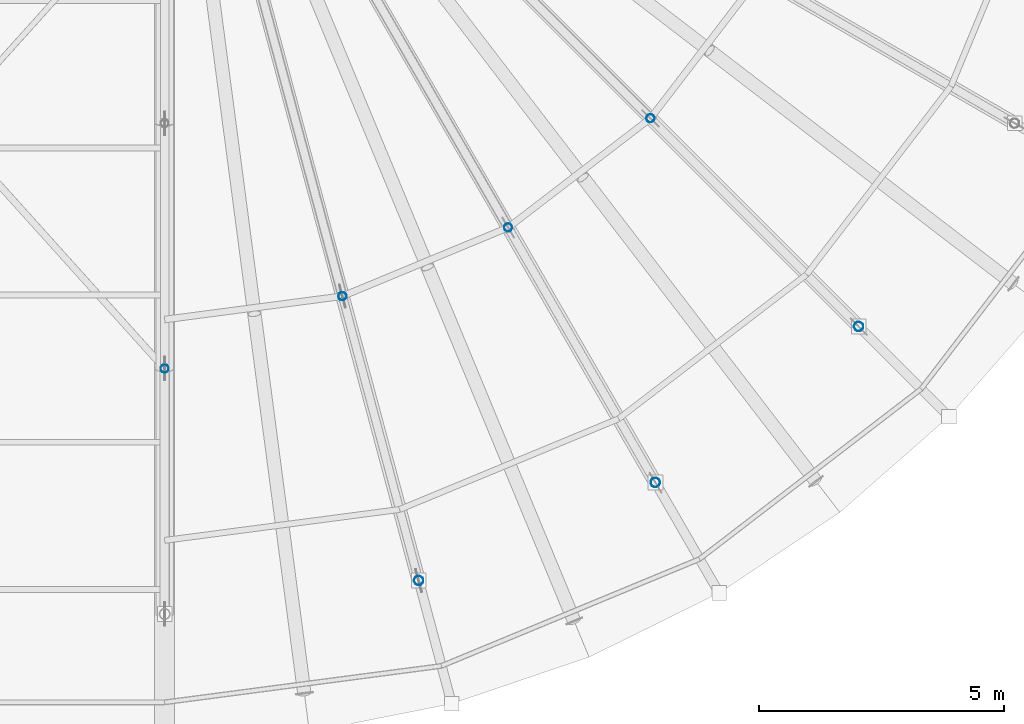
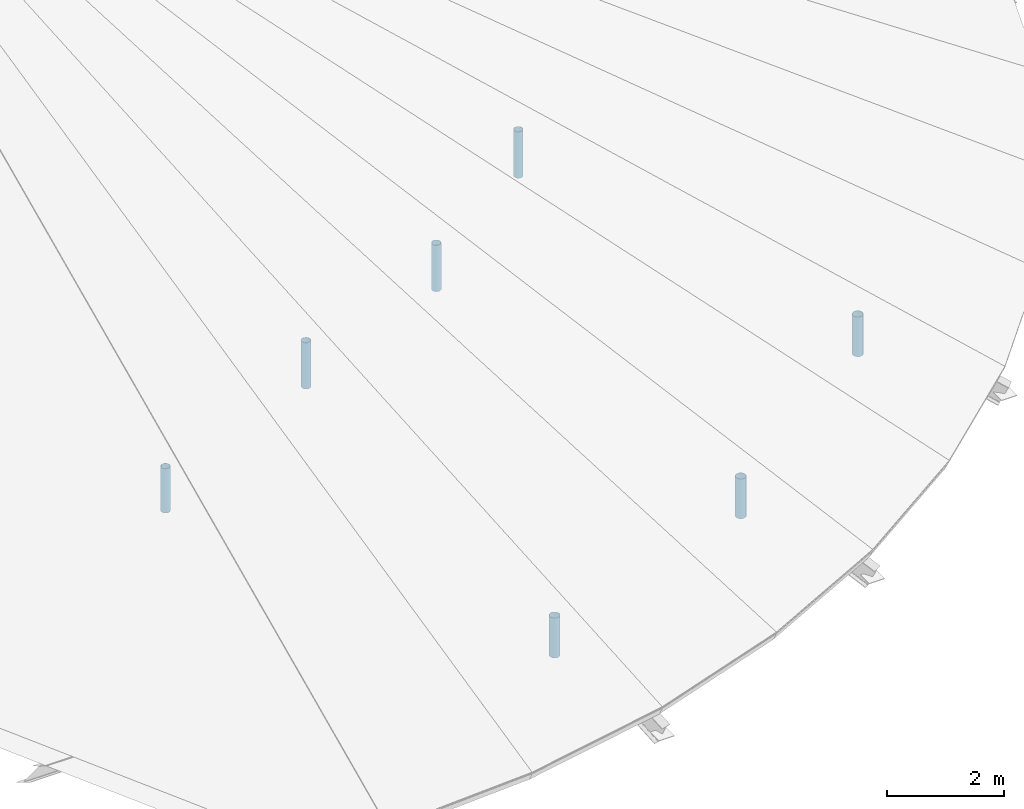
# One storey, part 74 of 107: 7 members.
"""IFC4 building model written with IfcOpenShell, lengths in metres."""

import ifcopenshell
import ifcopenshell.guid

model = None  # the IFC model being written
_history = None  # IfcOwnerHistory: only IFC2X3 demands one
_inside = {}  # id of a spatial element -> (the spatial element, [elements in it])
_under = {}  # id of a project, library or spatial element -> (it, [spatial elements below it])
_declared = {}  # id of a project -> (the project, [libraries it declares])
_typed = {}  # id of a type object -> (the type object, [elements of that type])
_made_of = {}  # id of a material, layer set ... -> (it, [elements and type objects made of it])


def new_model(schema):
    """Start an empty IFC model of exactly this schema.

    Asked for "IFC4X3", IfcOpenShell would pick the latest addendum, in which some entities
    have other attributes; the version numbers below select the first issue.
    IFC2X3 requires an IfcOwnerHistory on every rooted entity: one is made here for all.
    """
    global model, _history
    if schema == "IFC4X3":
        model = ifcopenshell.file(schema_version=(4, 3, 0, 0))
    else:
        model = ifcopenshell.file(schema=schema)
    _inside.clear()
    _under.clear()
    _declared.clear()
    _typed.clear()
    _made_of.clear()
    _history = None
    if model.schema == "IFC2X3":
        org = make("IfcOrganization", Name="unknown")
        user = make(
            "IfcPersonAndOrganization",
            ThePerson=make("IfcPerson", FamilyName="unknown"),
            TheOrganization=org,
        )
        app = make(
            "IfcApplication",
            ApplicationDeveloper=org,
            Version="unknown",
            ApplicationFullName="unknown",
            ApplicationIdentifier="unknown",
        )
        _history = make(
            "IfcOwnerHistory",
            OwningUser=user,
            OwningApplication=app,
            ChangeAction="ADDED",
            CreationDate=0,
        )
    return model


def make(cls, **values):
    """One entity of the class cls with the attributes given. An attribute that is None is left unset."""
    return model.create_entity(
        cls, **{name: value for name, value in values.items() if value is not None}
    )


def rooted(cls, **values):
    """An entity with a GlobalId (a new one), such as an element, a storey or a relation."""
    return make(cls, GlobalId=ifcopenshell.guid.new(), OwnerHistory=_history, **values)


def si_unit(unit_type, name, prefix=None):
    """IfcSIUnit, for example si_unit("LENGTHUNIT", "METRE", prefix="MILLI")."""
    return make("IfcSIUnit", UnitType=unit_type, Prefix=prefix, Name=name)


def derived_unit(unit_type, elements):
    """IfcDerivedUnit: a product of units, each with its exponent."""
    return make(
        "IfcDerivedUnit",
        Elements=[
            make("IfcDerivedUnitElement", Unit=unit, Exponent=power)
            for unit, power in elements
        ],
        UnitType=unit_type,
    )


def assignment(units):
    """IfcUnitAssignment: the units of a project."""
    return None if units is None else make("IfcUnitAssignment", Units=units)


def point(xyz):
    """IfcCartesianPoint."""
    return None if xyz is None else make("IfcCartesianPoint", Coordinates=xyz)


def direction(xyz):
    """IfcDirection."""
    return None if xyz is None else make("IfcDirection", DirectionRatios=xyz)


def frame(location, z_axis=None, x_axis=None):
    """IfcAxis2Placement3D, a coordinate frame: its origin and axes. An axis left out is left unset."""
    return make(
        "IfcAxis2Placement3D",
        Location=point(location),
        Axis=direction(z_axis),
        RefDirection=direction(x_axis),
    )


def frame_2d(location, x_axis=None):
    """IfcAxis2Placement2D, a coordinate frame in the plane: its origin and x axis."""
    return make(
        "IfcAxis2Placement2D", Location=point(location), RefDirection=direction(x_axis)
    )


def origin():
    """The frame at (0, 0, 0) with its axes left unset."""
    return frame((0.0, 0.0, 0.0))


def origin_2d():
    """The frame at (0, 0) in the plane with its x axis left unset."""
    return frame_2d((0.0, 0.0))


def place(relative_to, where):
    """IfcLocalPlacement: puts the frame where relative to a parent placement (None: the world)."""
    return make(
        "IfcLocalPlacement", PlacementRelTo=relative_to, RelativePlacement=where
    )


def context(
    kind, dimensions, precision=None, world=None, true_north=None, identifier=None
):
    """IfcGeometricRepresentationContext, for example the 3D "Model" context."""
    return make(
        "IfcGeometricRepresentationContext",
        ContextIdentifier=identifier,
        ContextType=kind,
        CoordinateSpaceDimension=dimensions,
        Precision=precision,
        WorldCoordinateSystem=world,
        TrueNorth=true_north,
    )


def subcontext(parent, identifier, kind, view, scale=None):
    """IfcGeometricRepresentationSubContext, for example "Body" below "Model"."""
    return make(
        "IfcGeometricRepresentationSubContext",
        ContextIdentifier=identifier,
        ContextType=kind,
        ParentContext=parent,
        TargetScale=scale,
        TargetView=view,
    )


def project(units=None, contexts=None):
    """IfcProject with its units and contexts."""
    return rooted(
        "IfcProject",
        Name="project",
        RepresentationContexts=contexts,
        UnitsInContext=assignment(units),
    )


def spatial(cls, under=None, at=None, **own):
    """A site, building, storey or space (cls), placed at a placement, below another one or the project."""
    s = rooted(cls, ObjectPlacement=at, **own)
    if under is not None:
        _under.setdefault(under.id(), (under, []))[1].append(s)
    return s


def profile(cls, at=None, kind="AREA", **sizes):
    """A parametric profile (cls). Its sizes go by their IFC names, for example OverallWidth=200.0."""
    return make(cls, ProfileType=kind, Position=at, **sizes)


def hollow_circle(**sizes):
    """IfcCircleHollowProfileDef."""
    return profile("IfcCircleHollowProfileDef", **sizes)


def extrude(swept, where, along, depth):
    """IfcExtrudedAreaSolid: the profile swept, set in the frame where, extruded along a direction by depth."""
    return make(
        "IfcExtrudedAreaSolid",
        SweptArea=swept,
        Position=where,
        ExtrudedDirection=direction(along),
        Depth=depth,
    )


def shape(context_of_items, identifier, shape_type, items):
    """IfcShapeRepresentation: the items that make up one representation, for example the "Body"."""
    return make(
        "IfcShapeRepresentation",
        ContextOfItems=context_of_items,
        RepresentationIdentifier=identifier,
        RepresentationType=shape_type,
        Items=items,
    )


def material(Name=None, Category=None):
    """IfcMaterial."""
    return make("IfcMaterial", Name=Name, Category=Category)


def material_profile(
    of_material, cross_section, Name=None, Category=None, Priority=None
):
    """IfcMaterialProfile: a cross section and its material."""
    return make(
        "IfcMaterialProfile",
        Name=Name,
        Material=of_material,
        Profile=cross_section,
        Priority=Priority,
        Category=Category,
    )


def profile_set(profiles, Name=None, composite=None):
    """IfcMaterialProfileSet."""
    return make(
        "IfcMaterialProfileSet",
        Name=Name,
        MaterialProfiles=profiles,
        CompositeProfile=composite,
    )


def made_of(thing, what):
    """Note that an element or type object is made of a material, layer set ...; save() writes the relation."""
    if what is not None:
        _made_of.setdefault(what.id(), (what, []))[1].append(thing)
    return thing


def type_object(cls, material=None, **own):
    """A type object (cls), such as IfcWallType, which elements share."""
    return made_of(rooted(cls, **own), material)


def element(
    cls,
    number,
    at=None,
    inside=None,
    cuts=None,
    type_object=None,
    material=None,
    context=None,
    identifier="Body",
    shape_type=None,
    held_by="IfcProductDefinitionShape",
    body=None,
    shapes=None,
    **own,
):
    """One element of the class cls, such as IfcWall. Its Tag is "e" and its number.

    at: its placement. inside: the storey or other place that contains it. cuts: it is an
    opening in that element (IfcRelVoidsElement). A single representation is given by context,
    identifier, shape_type and body (its items); several are given by shapes. held_by: the class
    of the entity that holds the representations. save() writes the other relations.
    """
    e = rooted(cls, Tag="e%d" % number, ObjectPlacement=at, **own)
    if body is not None:
        shapes = [shape(context, identifier, shape_type, body)]
    if shapes is not None:
        e.Representation = make(held_by, Representations=shapes)
    if inside is not None:
        _inside.setdefault(inside.id(), (inside, []))[1].append(e)
    if cuts is not None:
        rooted(
            "IfcRelVoidsElement", RelatingBuildingElement=cuts, RelatedOpeningElement=e
        )
    if type_object is not None:
        _typed.setdefault(type_object.id(), (type_object, []))[1].append(e)
    return made_of(e, material)


def aggregate(whole, parts):
    """IfcRelAggregates: a whole, such as a stair, and the parts it consists of."""
    return rooted("IfcRelAggregates", RelatingObject=whole, RelatedObjects=parts)


def save(model, path):
    """Write the relations noted so far, then the file.

    IfcRelAggregates (storeys below a building ...), IfcRelContainedInSpatialStructure (elements
    in a storey), IfcRelDefinesByType, IfcRelAssociatesMaterial and IfcRelDeclares: one each for
    every whole, place, type object, material and project.
    """
    for whole, parts in _under.values():
        aggregate(whole, parts)
    for where, things in _inside.values():
        rooted(
            "IfcRelContainedInSpatialStructure",
            RelatedElements=things,
            RelatingStructure=where,
        )
    for kind, things in _typed.values():
        rooted("IfcRelDefinesByType", RelatedObjects=things, RelatingType=kind)
    for what, things in _made_of.values():
        rooted("IfcRelAssociatesMaterial", RelatedObjects=things, RelatingMaterial=what)
    for by, libraries in _declared.values():
        rooted("IfcRelDeclares", RelatingContext=by, RelatedDefinitions=libraries)
    model.write(path)


model = new_model("IFC4")

# Units and contexts
model_context = context("Model", 3, precision=1e-05, world=origin(), true_north=direction((0.0, 1.0)))
body_context = subcontext(model_context, "Body", "Model", "MODEL_VIEW")
ifc_project = project(units=[si_unit("LENGTHUNIT", "METRE"), si_unit("AREAUNIT", "SQUARE_METRE"), si_unit("VOLUMEUNIT", "CUBIC_METRE"), si_unit("PLANEANGLEUNIT", "RADIAN"), si_unit("MASSUNIT", "GRAM", prefix="KILO"), si_unit("THERMODYNAMICTEMPERATUREUNIT", "KELVIN"), si_unit("TIMEUNIT", "SECOND"), derived_unit("THERMALTRANSMITTANCEUNIT", [(si_unit("MASSUNIT", "GRAM", prefix="KILO"), 1), (si_unit("THERMODYNAMICTEMPERATUREUNIT", "KELVIN"), -1), (si_unit("TIMEUNIT", "SECOND"), -3)])], contexts=[model_context])

# Site, building, storey
site_placement = place(None, origin())
site = spatial("IfcSite", under=ifc_project, at=site_placement, CompositionType="ELEMENT")
building_placement = place(site_placement, origin())
building = spatial("IfcBuilding", under=site, at=building_placement, Name="Cambertide Market Hall", CompositionType="ELEMENT")
storey_placement = place(building_placement, frame((0.0, 0.0, 18.300048828125)))
storey = spatial("IfcBuildingStorey", under=building, at=storey_placement, Name="RF", CompositionType="ELEMENT", Elevation=18.300048828125)

# Members
ifc_material_1 = material(Name="Steel S355", Category="steel")
ifc_material_profile_1 = material_profile(ifc_material_1, hollow_circle(Radius=0.084228515625, WallThickness=0.00634765625, at=origin_2d()), Name="CHS 168.3x6.3")
ifc_profile_set_1 = profile_set([ifc_material_profile_1], Name="Steel S355")
member_type_1 = type_object("IfcMemberType", Name="Structural Brace CHS 168.3x6.3", PredefinedType="BRACE", material=ifc_profile_set_1)
member_placement = place(storey_placement, frame((105.0, 57.0, -8.1767578125), z_axis=(0.0, 0.0, 1.0), x_axis=(1.0, 0.0, 0.0)))
element("IfcMember", 1, at=member_placement, inside=storey, type_object=member_type_1, Name="Roof Truss 8 Web Post 2", PredefinedType="BRACE", context=body_context, shape_type="SweptSolid", body=[
    extrude(hollow_circle(Radius=0.084228515625, WallThickness=0.00634765625, at=origin_2d()), origin(), (0.0, 0.0, 1.0), 0.9267578125),
])
for number, where, z_axis, x_axis, name in (
    (2, (108.62353515625, 58.47705078125, -7.756103515625), (0.0, 0.0, 1.0), (1.0, 0.0, 0.0), "RWV-E-02-V2"),
    (3, (112.0, 59.875732421875, -7.756103515625), (0.0, 0.0, 1.0), (1.0, 0.0, 0.0), "RWV-E-04-V2"),
    (4, (114.8994140625, 62.1005859375, -7.756103515625), (0.0, 0.0, 1.0), (1.0, 0.0, 0.0), "RWV-E-06-V2"),
):
    element("IfcMember", number, at=place(storey_placement, frame(where, z_axis=z_axis, x_axis=x_axis)), inside=storey, type_object=member_type_1, Name=name, PredefinedType="BRACE", context=body_context, shape_type="SweptSolid", body=[
        extrude(hollow_circle(Radius=0.084228515625, WallThickness=0.00634765625, at=origin_2d()), origin(), (0.0, 0.0, 1.0), 0.966064453125),
    ])
ifc_material_2 = material(Name="Steel S355", Category="steel")
ifc_material_profile_2 = material_profile(ifc_material_2, hollow_circle(Radius=0.096923828125, WallThickness=0.00634765625, at=origin_2d()), Name="CHS 193.7x6.3")
ifc_profile_set_2 = profile_set([ifc_material_profile_2], Name="Steel S355")
member_type_2 = type_object("IfcMemberType", Name="Structural Brace CHS 193.7x6.3", PredefinedType="BRACE", material=ifc_profile_set_2)
for number, where, z_axis, x_axis, name in (
    (5, (110.17626953125, 52.681396484375, -10.380126953125), (0.0, 0.0, 1.0), (1.0, 0.0, 0.0), "RWV-E-02-V3"),
    (6, (115.0, 54.679443359375, -10.380126953125), (0.0, 0.0, 1.0), (1.0, 0.0, 0.0), "RWV-E-04-V3"),
    (7, (119.14208984375, 57.85791015625, -10.380126953125), (0.0, 0.0, 1.0), (1.0, 0.0, 0.0), "RWV-E-06-V3"),
):
    element("IfcMember", number, at=place(storey_placement, frame(where, z_axis=z_axis, x_axis=x_axis)), inside=storey, type_object=member_type_2, Name=name, PredefinedType="BRACE", context=body_context, shape_type="SweptSolid", body=[
        extrude(hollow_circle(Radius=0.096923828125, WallThickness=0.00634765625, at=origin_2d()), origin(), (0.0, 0.0, 1.0), 0.830078125),
    ])

save(model, "model.ifc")
